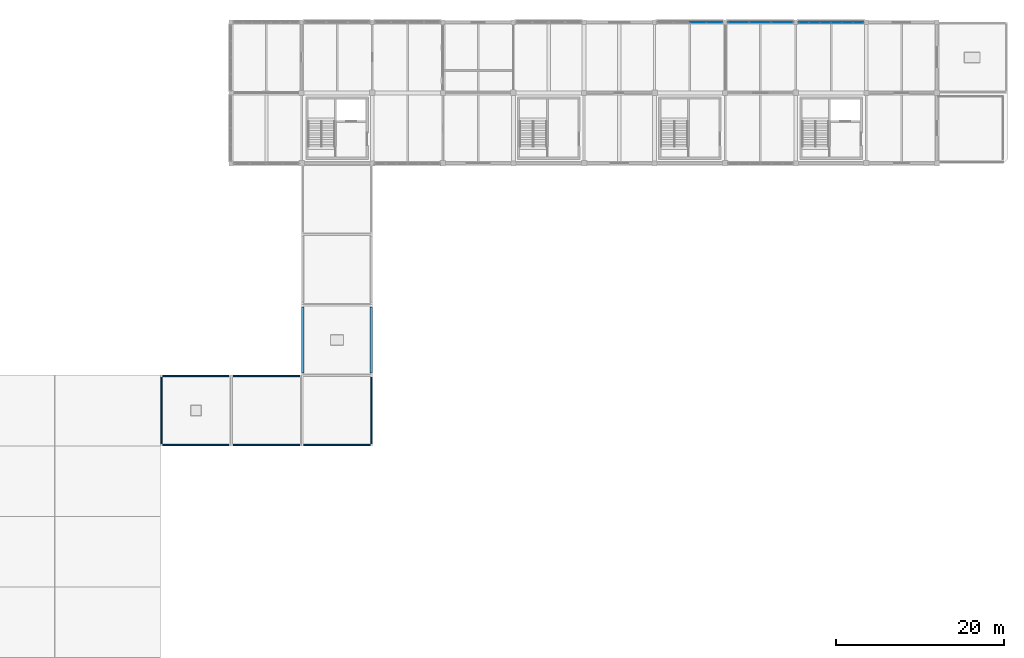
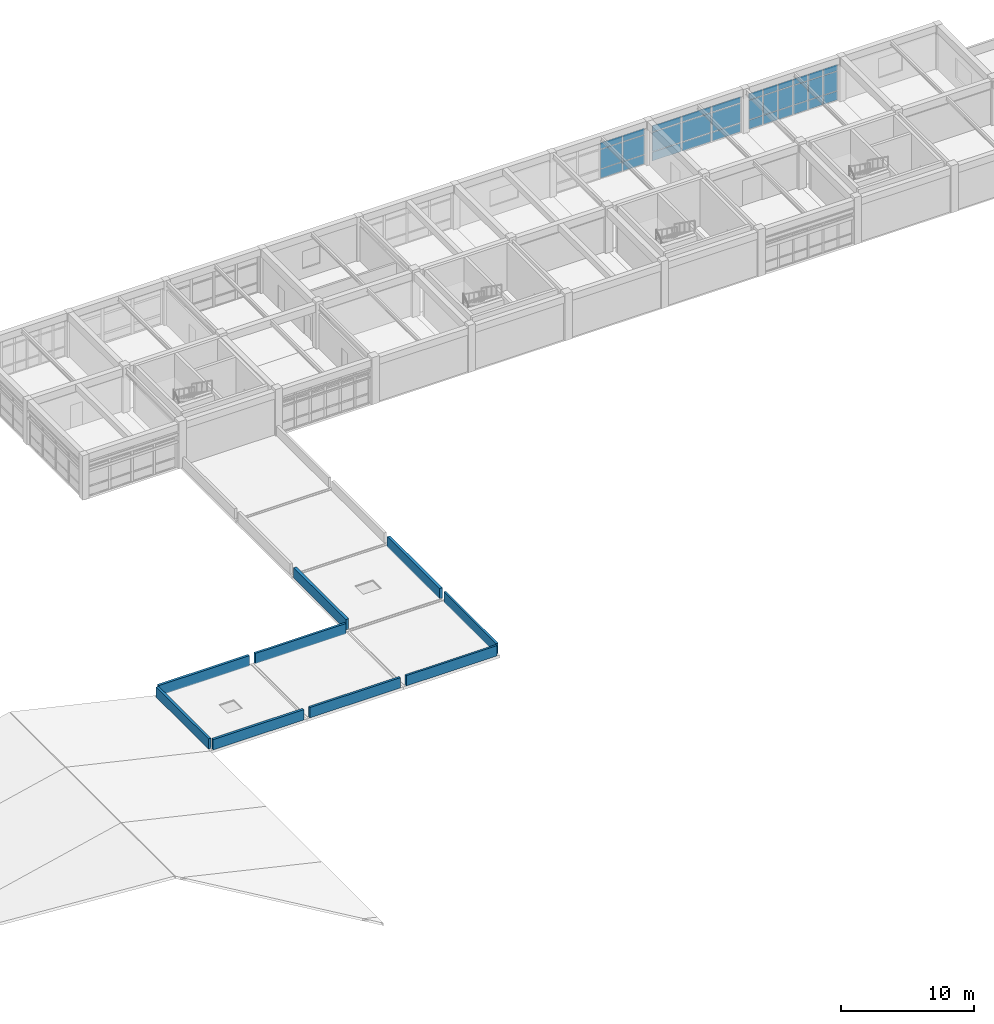
# One storey, part 14 of 18: 33 plates, 9 walls, 3 elements without a shape of their own.
"""IFC4 building model written with IfcOpenShell, lengths in metres."""

from ifc_helpers import new_model, si_unit, direction, frame, frame_2d, origin, origin_2d, place, context, subcontext, project, spatial, rectangle, extrude, material, layer, layer_set, type_object, element, aggregate, save


model = new_model("IFC4")

# Units and contexts
model_context = context("Model", 3, precision=1e-05, world=origin(), true_north=direction((0.0, 1.0)))
body_context = subcontext(model_context, "Body", "Model", "MODEL_VIEW")
ifc_project = project(units=[si_unit("LENGTHUNIT", "METRE"), si_unit("AREAUNIT", "SQUARE_METRE"), si_unit("VOLUMEUNIT", "CUBIC_METRE"), si_unit("PLANEANGLEUNIT", "RADIAN"), si_unit("MASSUNIT", "GRAM", prefix="KILO")], contexts=[model_context])

# Site, building, storey
site_placement = place(None, origin())
site = spatial("IfcSite", under=ifc_project, at=site_placement, CompositionType="ELEMENT")
building_placement = place(site_placement, origin())
building = spatial("IfcBuilding", under=site, at=building_placement, Name="Porcellanite Civic Hall", CompositionType="ELEMENT")
storey_placement = place(building_placement, frame((0.0, 0.0, 23.39990234375)))
storey = spatial("IfcBuildingStorey", under=building, at=storey_placement, Name="L05", CompositionType="ELEMENT", Elevation=23.39990234375)

# Curtain wall, plates
ifc_material_1 = material(Name="Anodised aluminium and solar laminated glass", Category="aluminium")
ifc_layer_1 = layer(ifc_material_1, 0.179931640625)
ifc_layer_set_1 = layer_set([ifc_layer_1], Name="Anodised aluminium and solar laminated glass")
curtain_wall_type_1 = type_object("IfcCurtainWallType", Name="CW-SYS06", PredefinedType="NOTDEFINED", material=ifc_layer_set_1)
curtain_wall_1_placement = place(storey_placement, origin())
curtain_wall_1 = element("IfcCurtainWall", 1, at=curtain_wall_1_placement, inside=storey, type_object=curtain_wall_type_1, Name="Curtain wall CW-266", PredefinedType="NOTDEFINED")
ifc_material_2 = material(Name="Cyclone laminated solar-control low-E glass", Category="glass")
ifc_layer_2 = layer(ifc_material_2, 0.035888671875)
ifc_layer_set_2 = layer_set([ifc_layer_2], Name="Cyclone laminated solar-control low-E glass")
plate_type_1 = type_object("IfcPlateType", Name="CWP-07", PredefinedType="CURTAIN_PANEL", material=ifc_layer_set_2)
plate_1_placement = place(storey_placement, frame((97.5810546875, 117.60009765625, 0.05029296875), z_axis=(0.0, 0.0, 1.0), x_axis=(1.0, 0.0, 0.0)))
plate_1 = element("IfcPlate", 2, at=plate_1_placement, type_object=plate_type_1, Name="CW-266 panel 3.1", PredefinedType="CURTAIN_PANEL", context=body_context, shape_type="SweptSolid", body=[
    extrude(rectangle(XDim=1.89697265625, YDim=0.035888671875, at=origin_2d()), origin(), (0.0, 0.0, 1.0), 0.824951171875),
])
plate_2_placement = place(storey_placement, frame((97.5810546875, 117.60009765625, 0.925048828125), z_axis=(0.0, 0.0, 1.0), x_axis=(1.0, 0.0, 0.0)))
plate_2 = element("IfcPlate", 3, at=plate_2_placement, type_object=plate_type_1, Name="CW-266 panel 3.2", PredefinedType="CURTAIN_PANEL", context=body_context, shape_type="SweptSolid", body=[
    extrude(rectangle(XDim=1.89697265625, YDim=0.035888671875, at=origin_2d()), origin(), (0.0, 0.0, 1.0), 1.77001953125),
])
plate_3_placement = place(storey_placement, frame((97.5810546875, 117.60009765625, 2.7451171875), z_axis=(0.0, 0.0, 1.0), x_axis=(1.0, 0.0, 0.0)))
plate_3 = element("IfcPlate", 4, at=plate_3_placement, type_object=plate_type_1, Name="CW-266 panel 3.3", PredefinedType="CURTAIN_PANEL", context=body_context, shape_type="SweptSolid", body=[
    extrude(rectangle(XDim=1.89697265625, YDim=0.035888671875, at=origin_2d()), origin(), (0.0, 0.0, 1.0), 0.574951171875),
])
plate_4_placement = place(storey_placement, frame((99.52685546875, 117.60009765625, 0.05029296875), z_axis=(0.0, 0.0, 1.0), x_axis=(1.0, 0.0, 0.0)))
plate_4 = element("IfcPlate", 5, at=plate_4_placement, type_object=plate_type_1, Name="CW-266 panel 4.1", PredefinedType="CURTAIN_PANEL", context=body_context, shape_type="SweptSolid", body=[
    extrude(rectangle(XDim=1.864501953125, YDim=0.035888671875, at=origin_2d()), origin(), (0.0, 0.0, 1.0), 0.824951171875),
])
plate_5_placement = place(storey_placement, frame((99.52685546875, 117.60009765625, 0.925048828125), z_axis=(0.0, 0.0, 1.0), x_axis=(1.0, 0.0, 0.0)))
plate_5 = element("IfcPlate", 6, at=plate_5_placement, type_object=plate_type_1, Name="CW-266 panel 4.2", PredefinedType="CURTAIN_PANEL", context=body_context, shape_type="SweptSolid", body=[
    extrude(rectangle(XDim=1.864501953125, YDim=0.035888671875, at=origin_2d()), origin(), (0.0, 0.0, 1.0), 1.77001953125),
])
plate_6_placement = place(storey_placement, frame((99.52685546875, 117.60009765625, 2.7451171875), z_axis=(0.0, 0.0, 1.0), x_axis=(1.0, 0.0, 0.0)))
plate_6 = element("IfcPlate", 7, at=plate_6_placement, type_object=plate_type_1, Name="CW-266 panel 4.3", PredefinedType="CURTAIN_PANEL", context=body_context, shape_type="SweptSolid", body=[
    extrude(rectangle(XDim=1.864501953125, YDim=0.035888671875, at=origin_2d()), origin(), (0.0, 0.0, 1.0), 0.574951171875),
])
aggregate(curtain_wall_1, [plate_1, plate_2, plate_3, plate_4, plate_5, plate_6])

ifc_material_3 = material(Name="Anodised aluminium and solar laminated glass", Category="aluminium")
ifc_layer_3 = layer(ifc_material_3, 0.179931640625)
ifc_layer_set_3 = layer_set([ifc_layer_3], Name="Anodised aluminium and solar laminated glass")
curtain_wall_type_2 = type_object("IfcCurtainWallType", Name="CW-SYS08", PredefinedType="NOTDEFINED", material=ifc_layer_set_3)
curtain_wall_2_placement = place(storey_placement, origin())
curtain_wall_2 = element("IfcCurtainWall", 8, at=curtain_wall_2_placement, inside=storey, type_object=curtain_wall_type_2, Name="Curtain wall CW-268", PredefinedType="NOTDEFINED")
ifc_material_4 = material(Name="Insulated ochre aluminium spandrel panel", Category="aluminium")
ifc_layer_4 = layer(ifc_material_4, 0.0419921875)
ifc_layer_set_4 = layer_set([ifc_layer_4], Name="Insulated ochre aluminium spandrel panel")
plate_type_2 = type_object("IfcPlateType", Name="CWP-09", PredefinedType="CURTAIN_PANEL", material=ifc_layer_set_4)
plate_7_placement = place(storey_placement, frame((102.404052734375, 117.60009765625, 0.070068359375), z_axis=(0.0, 0.0, 1.0), x_axis=(1.0, 0.0, 0.0)))
plate_7 = element("IfcPlate", 9, at=plate_7_placement, type_object=plate_type_2, Name="CW-268 panel 1.1", PredefinedType="CURTAIN_PANEL", context=body_context, shape_type="SweptSolid", body=[
    extrude(rectangle(XDim=2.49609375, YDim=0.0419921875, at=origin_2d()), origin(), (0.0, 0.0, 1.0), 0.794921875),
])
plate_8_placement = place(storey_placement, frame((102.404052734375, 117.60009765625, 0.93505859375), z_axis=(0.0, 0.0, 1.0), x_axis=(1.0, 0.0, 0.0)))
plate_8 = element("IfcPlate", 10, at=plate_8_placement, type_object=plate_type_2, Name="CW-268 panel 1.2", PredefinedType="CURTAIN_PANEL", context=body_context, shape_type="SweptSolid", body=[
    extrude(rectangle(XDim=2.49609375, YDim=0.0419921875, at=origin_2d()), origin(), (0.0, 0.0, 1.0), 1.75),
])
plate_9_placement = place(storey_placement, frame((102.404052734375, 117.60009765625, 2.755126953125), z_axis=(0.0, 0.0, 1.0), x_axis=(1.0, 0.0, 0.0)))
plate_9 = element("IfcPlate", 11, at=plate_9_placement, type_object=plate_type_2, Name="CW-268 panel 1.3", PredefinedType="CURTAIN_PANEL", context=body_context, shape_type="SweptSolid", body=[
    extrude(rectangle(XDim=2.49609375, YDim=0.0419921875, at=origin_2d()), origin(), (0.0, 0.0, 1.0), 0.544921875),
])
plate_10_placement = place(storey_placement, frame((105.0, 117.60009765625, 0.070068359375), z_axis=(0.0, 0.0, 1.0), x_axis=(1.0, 0.0, 0.0)))
plate_10 = element("IfcPlate", 12, at=plate_10_placement, type_object=plate_type_2, Name="CW-268 panel 2.1", PredefinedType="CURTAIN_PANEL", context=body_context, shape_type="SweptSolid", body=[
    extrude(rectangle(XDim=2.535888671875, YDim=0.0419921875, at=origin_2d()), origin(), (0.0, 0.0, 1.0), 0.794921875),
])
plate_11_placement = place(storey_placement, frame((105.0, 117.60009765625, 0.93505859375), z_axis=(0.0, 0.0, 1.0), x_axis=(1.0, 0.0, 0.0)))
plate_11 = element("IfcPlate", 13, at=plate_11_placement, type_object=plate_type_2, Name="CW-268 panel 2.2", PredefinedType="CURTAIN_PANEL", context=body_context, shape_type="SweptSolid", body=[
    extrude(rectangle(XDim=2.535888671875, YDim=0.0419921875, at=origin_2d()), origin(), (0.0, 0.0, 1.0), 1.75),
])
plate_12_placement = place(storey_placement, frame((105.0, 117.60009765625, 2.755126953125), z_axis=(0.0, 0.0, 1.0), x_axis=(1.0, 0.0, 0.0)))
plate_12 = element("IfcPlate", 14, at=plate_12_placement, type_object=plate_type_2, Name="CW-268 panel 2.3", PredefinedType="CURTAIN_PANEL", context=body_context, shape_type="SweptSolid", body=[
    extrude(rectangle(XDim=2.535888671875, YDim=0.0419921875, at=origin_2d()), origin(), (0.0, 0.0, 1.0), 0.544921875),
])
plate_13_placement = place(storey_placement, frame((107.595947265625, 117.60009765625, 0.070068359375), z_axis=(0.0, 0.0, 1.0), x_axis=(1.0, 0.0, 0.0)))
plate_13 = element("IfcPlate", 15, at=plate_13_placement, type_object=plate_type_2, Name="CW-268 panel 3.1", PredefinedType="CURTAIN_PANEL", context=body_context, shape_type="SweptSolid", body=[
    extrude(rectangle(XDim=2.49609375, YDim=0.0419921875, at=origin_2d()), origin(), (0.0, 0.0, 1.0), 0.794921875),
])
plate_14_placement = place(storey_placement, frame((107.595947265625, 117.60009765625, 0.93505859375), z_axis=(0.0, 0.0, 1.0), x_axis=(1.0, 0.0, 0.0)))
plate_14 = element("IfcPlate", 16, at=plate_14_placement, type_object=plate_type_2, Name="CW-268 panel 3.2", PredefinedType="CURTAIN_PANEL", context=body_context, shape_type="SweptSolid", body=[
    extrude(rectangle(XDim=2.49609375, YDim=0.0419921875, at=origin_2d()), origin(), (0.0, 0.0, 1.0), 1.75),
])
plate_15_placement = place(storey_placement, frame((107.595947265625, 117.60009765625, 2.755126953125), z_axis=(0.0, 0.0, 1.0), x_axis=(1.0, 0.0, 0.0)))
plate_15 = element("IfcPlate", 17, at=plate_15_placement, type_object=plate_type_2, Name="CW-268 panel 3.3", PredefinedType="CURTAIN_PANEL", context=body_context, shape_type="SweptSolid", body=[
    extrude(rectangle(XDim=2.49609375, YDim=0.0419921875, at=origin_2d()), origin(), (0.0, 0.0, 1.0), 0.544921875),
])
aggregate(curtain_wall_2, [plate_7, plate_8, plate_9, plate_10, plate_11, plate_12, plate_13, plate_14, plate_15])

ifc_material_5 = material(Name="Anodised aluminium and solar laminated glass", Category="aluminium")
ifc_layer_5 = layer(ifc_material_5, 0.179931640625)
ifc_layer_set_5 = layer_set([ifc_layer_5], Name="Anodised aluminium and solar laminated glass")
curtain_wall_type_3 = type_object("IfcCurtainWallType", Name="CW-SYS01", PredefinedType="NOTDEFINED", material=ifc_layer_set_5)
curtain_wall_3_placement = place(storey_placement, origin())
curtain_wall_3 = element("IfcCurtainWall", 18, at=curtain_wall_3_placement, inside=storey, type_object=curtain_wall_type_3, Name="Curtain wall CW-269", PredefinedType="NOTDEFINED")
ifc_material_6 = material(Name="Insulated ochre aluminium spandrel panel", Category="aluminium")
ifc_layer_6 = layer(ifc_material_6, 0.0458984375)
ifc_layer_set_6 = layer_set([ifc_layer_6], Name="Insulated ochre aluminium spandrel panel")
plate_type_3 = type_object("IfcPlateType", Name="CWP-10", PredefinedType="CURTAIN_PANEL", material=ifc_layer_set_6)
plate_16_placement = place(storey_placement, frame((110.1474609375, 117.60009765625, 0.06005859375), z_axis=(0.0, 0.0, 1.0), x_axis=(1.0, 0.0, 0.0)))
plate_16 = element("IfcPlate", 19, at=plate_16_placement, type_object=plate_type_3, Name="CW-269 panel 1.1", PredefinedType="CURTAIN_PANEL", context=body_context, shape_type="SweptSolid", body=[
    extrude(rectangle(XDim=1.202880859375, YDim=0.0458984375, at=origin_2d()), origin(), (0.0, 0.0, 1.0), 0.81005859375),
])
plate_17_placement = place(storey_placement, frame((110.1474609375, 117.60009765625, 0.93017578125), z_axis=(0.0, 0.0, 1.0), x_axis=(1.0, 0.0, 0.0)))
plate_17 = element("IfcPlate", 20, at=plate_17_placement, type_object=plate_type_3, Name="CW-269 panel 1.2", PredefinedType="CURTAIN_PANEL", context=body_context, shape_type="SweptSolid", body=[
    extrude(rectangle(XDim=1.202880859375, YDim=0.0458984375, at=origin_2d()), origin(), (0.0, 0.0, 1.0), 1.760009765625),
])
plate_18_placement = place(storey_placement, frame((110.1474609375, 117.60009765625, 2.75), z_axis=(0.0, 0.0, 1.0), x_axis=(1.0, 0.0, 0.0)))
plate_18 = element("IfcPlate", 21, at=plate_18_placement, type_object=plate_type_3, Name="CW-269 panel 1.3", PredefinedType="CURTAIN_PANEL", context=body_context, shape_type="SweptSolid", body=[
    extrude(rectangle(XDim=1.202880859375, YDim=0.0458984375, at=origin_2d()), origin(), (0.0, 0.0, 1.0), 0.56005859375),
])
plate_19_placement = place(storey_placement, frame((111.43798828125, 117.60009765625, 0.06005859375), z_axis=(0.0, 0.0, 1.0), x_axis=(1.0, 0.0, 0.0)))
plate_19 = element("IfcPlate", 22, at=plate_19_placement, type_object=plate_type_3, Name="CW-269 panel 2.1", PredefinedType="CURTAIN_PANEL", context=body_context, shape_type="SweptSolid", body=[
    extrude(rectangle(XDim=1.238037109375, YDim=0.0458984375, at=origin_2d()), origin(), (0.0, 0.0, 1.0), 0.81005859375),
])
plate_20_placement = place(storey_placement, frame((111.43798828125, 117.60009765625, 0.93017578125), z_axis=(0.0, 0.0, 1.0), x_axis=(1.0, 0.0, 0.0)))
plate_20 = element("IfcPlate", 23, at=plate_20_placement, type_object=plate_type_3, Name="CW-269 panel 2.2", PredefinedType="CURTAIN_PANEL", context=body_context, shape_type="SweptSolid", body=[
    extrude(rectangle(XDim=1.238037109375, YDim=0.0458984375, at=origin_2d()), origin(), (0.0, 0.0, 1.0), 1.760009765625),
])
plate_21_placement = place(storey_placement, frame((111.43798828125, 117.60009765625, 2.75), z_axis=(0.0, 0.0, 1.0), x_axis=(1.0, 0.0, 0.0)))
plate_21 = element("IfcPlate", 24, at=plate_21_placement, type_object=plate_type_3, Name="CW-269 panel 2.3", PredefinedType="CURTAIN_PANEL", context=body_context, shape_type="SweptSolid", body=[
    extrude(rectangle(XDim=1.238037109375, YDim=0.0458984375, at=origin_2d()), origin(), (0.0, 0.0, 1.0), 0.56005859375),
])
plate_22_placement = place(storey_placement, frame((112.74609375, 117.60009765625, 0.06005859375), z_axis=(0.0, 0.0, 1.0), x_axis=(1.0, 0.0, 0.0)))
plate_22 = element("IfcPlate", 25, at=plate_22_placement, type_object=plate_type_3, Name="CW-269 panel 3.1", PredefinedType="CURTAIN_PANEL", context=body_context, shape_type="SweptSolid", body=[
    extrude(rectangle(XDim=1.238037109375, YDim=0.0458984375, at=origin_2d()), origin(), (0.0, 0.0, 1.0), 0.81005859375),
])
plate_23_placement = place(storey_placement, frame((112.74609375, 117.60009765625, 0.93017578125), z_axis=(0.0, 0.0, 1.0), x_axis=(1.0, 0.0, 0.0)))
plate_23 = element("IfcPlate", 26, at=plate_23_placement, type_object=plate_type_3, Name="CW-269 panel 3.2", PredefinedType="CURTAIN_PANEL", context=body_context, shape_type="SweptSolid", body=[
    extrude(rectangle(XDim=1.238037109375, YDim=0.0458984375, at=origin_2d()), origin(), (0.0, 0.0, 1.0), 1.760009765625),
])
plate_24_placement = place(storey_placement, frame((112.74609375, 117.60009765625, 2.75), z_axis=(0.0, 0.0, 1.0), x_axis=(1.0, 0.0, 0.0)))
plate_24 = element("IfcPlate", 27, at=plate_24_placement, type_object=plate_type_3, Name="CW-269 panel 3.3", PredefinedType="CURTAIN_PANEL", context=body_context, shape_type="SweptSolid", body=[
    extrude(rectangle(XDim=1.238037109375, YDim=0.0458984375, at=origin_2d()), origin(), (0.0, 0.0, 1.0), 0.56005859375),
])
plate_25_placement = place(storey_placement, frame((114.053955078125, 117.60009765625, 0.06005859375), z_axis=(0.0, 0.0, 1.0), x_axis=(1.0, 0.0, 0.0)))
plate_25 = element("IfcPlate", 28, at=plate_25_placement, type_object=plate_type_3, Name="CW-269 panel 4.1", PredefinedType="CURTAIN_PANEL", context=body_context, shape_type="SweptSolid", body=[
    extrude(rectangle(XDim=1.238037109375, YDim=0.0458984375, at=origin_2d()), origin(), (0.0, 0.0, 1.0), 0.81005859375),
])
plate_26_placement = place(storey_placement, frame((114.053955078125, 117.60009765625, 0.93017578125), z_axis=(0.0, 0.0, 1.0), x_axis=(1.0, 0.0, 0.0)))
plate_26 = element("IfcPlate", 29, at=plate_26_placement, type_object=plate_type_3, Name="CW-269 panel 4.2", PredefinedType="CURTAIN_PANEL", context=body_context, shape_type="SweptSolid", body=[
    extrude(rectangle(XDim=1.238037109375, YDim=0.0458984375, at=origin_2d()), origin(), (0.0, 0.0, 1.0), 1.760009765625),
])
plate_27_placement = place(storey_placement, frame((114.053955078125, 117.60009765625, 2.75), z_axis=(0.0, 0.0, 1.0), x_axis=(1.0, 0.0, 0.0)))
plate_27 = element("IfcPlate", 30, at=plate_27_placement, type_object=plate_type_3, Name="CW-269 panel 4.3", PredefinedType="CURTAIN_PANEL", context=body_context, shape_type="SweptSolid", body=[
    extrude(rectangle(XDim=1.238037109375, YDim=0.0458984375, at=origin_2d()), origin(), (0.0, 0.0, 1.0), 0.56005859375),
])
plate_28_placement = place(storey_placement, frame((115.362060546875, 117.60009765625, 0.06005859375), z_axis=(0.0, 0.0, 1.0), x_axis=(1.0, 0.0, 0.0)))
plate_28 = element("IfcPlate", 31, at=plate_28_placement, type_object=plate_type_3, Name="CW-269 panel 5.1", PredefinedType="CURTAIN_PANEL", context=body_context, shape_type="SweptSolid", body=[
    extrude(rectangle(XDim=1.238037109375, YDim=0.0458984375, at=origin_2d()), origin(), (0.0, 0.0, 1.0), 0.81005859375),
])
plate_29_placement = place(storey_placement, frame((115.362060546875, 117.60009765625, 0.93017578125), z_axis=(0.0, 0.0, 1.0), x_axis=(1.0, 0.0, 0.0)))
plate_29 = element("IfcPlate", 32, at=plate_29_placement, type_object=plate_type_3, Name="CW-269 panel 5.2", PredefinedType="CURTAIN_PANEL", context=body_context, shape_type="SweptSolid", body=[
    extrude(rectangle(XDim=1.238037109375, YDim=0.0458984375, at=origin_2d()), origin(), (0.0, 0.0, 1.0), 1.760009765625),
])
plate_30_placement = place(storey_placement, frame((115.362060546875, 117.60009765625, 2.75), z_axis=(0.0, 0.0, 1.0), x_axis=(1.0, 0.0, 0.0)))
plate_30 = element("IfcPlate", 33, at=plate_30_placement, type_object=plate_type_3, Name="CW-269 panel 5.3", PredefinedType="CURTAIN_PANEL", context=body_context, shape_type="SweptSolid", body=[
    extrude(rectangle(XDim=1.238037109375, YDim=0.0458984375, at=origin_2d()), origin(), (0.0, 0.0, 1.0), 0.56005859375),
])
plate_31_placement = place(storey_placement, frame((116.652587890625, 117.60009765625, 0.06005859375), z_axis=(0.0, 0.0, 1.0), x_axis=(1.0, 0.0, 0.0)))
plate_31 = element("IfcPlate", 34, at=plate_31_placement, type_object=plate_type_3, Name="CW-269 panel 6.1", PredefinedType="CURTAIN_PANEL", context=body_context, shape_type="SweptSolid", body=[
    extrude(rectangle(XDim=1.202880859375, YDim=0.0458984375, at=origin_2d()), origin(), (0.0, 0.0, 1.0), 0.81005859375),
])
plate_32_placement = place(storey_placement, frame((116.652587890625, 117.60009765625, 0.93017578125), z_axis=(0.0, 0.0, 1.0), x_axis=(1.0, 0.0, 0.0)))
plate_32 = element("IfcPlate", 35, at=plate_32_placement, type_object=plate_type_3, Name="CW-269 panel 6.2", PredefinedType="CURTAIN_PANEL", context=body_context, shape_type="SweptSolid", body=[
    extrude(rectangle(XDim=1.202880859375, YDim=0.0458984375, at=origin_2d()), origin(), (0.0, 0.0, 1.0), 1.760009765625),
])
plate_33_placement = place(storey_placement, frame((116.652587890625, 117.60009765625, 2.75), z_axis=(0.0, 0.0, 1.0), x_axis=(1.0, 0.0, 0.0)))
plate_33 = element("IfcPlate", 36, at=plate_33_placement, type_object=plate_type_3, Name="CW-269 panel 6.3", PredefinedType="CURTAIN_PANEL", context=body_context, shape_type="SweptSolid", body=[
    extrude(rectangle(XDim=1.202880859375, YDim=0.0458984375, at=origin_2d()), origin(), (0.0, 0.0, 1.0), 0.56005859375),
])
aggregate(curtain_wall_3, [plate_16, plate_17, plate_18, plate_19, plate_20, plate_21, plate_22, plate_23, plate_24, plate_25, plate_26, plate_27, plate_28, plate_29, plate_30, plate_31, plate_32, plate_33])

# Walls
ifc_material_7 = material(Name="Precast concrete N40 (40 MPa)", Category="concrete")
ifc_layer_7 = layer(ifc_material_7, 0.25)
ifc_layer_set_7 = layer_set([ifc_layer_7], Name="Precast concrete N40 (40 MPa)")
wall_type_1 = type_object("IfcWallType", Name="WP-PAR1", PredefinedType="PARAPET", material=ifc_layer_set_7)
for number, where, z_axis, x_axis, name in (
    (37, (50.52490234375, 75.860107421875, 0.0), (0.0, 0.0, 1.0), (0.0, 1.0, 0.0), "Roof parapet L05 W 7-10"),
    (38, (58.675048828125, 83.739990234375, 0.0), (0.0, 0.0, 1.0), (0.0, -1.0, 0.0), "Roof parapet L05 E 7-10"),
):
    element("IfcWall", number, at=place(storey_placement, frame(where, z_axis=z_axis, x_axis=x_axis)), inside=storey, type_object=wall_type_1, Name=name, PredefinedType="PARAPET", context=body_context, shape_type="SweptSolid", body=[
        extrude(rectangle(XDim=7.8798828125, YDim=0.25, at=frame_2d((3.93994140625, 0.0))), origin(), (0.0, 0.0, 1.0), 0.9501953125),
    ])
ifc_material_8 = material(Name="Precast concrete N40 (40 MPa)", Category="concrete")
ifc_layer_8 = layer(ifc_material_8, 0.2099609375)
ifc_layer_set_8 = layer_set([ifc_layer_8], Name="Precast concrete N40 (40 MPa)")
wall_type_2 = type_object("IfcWallType", Name="WP-PAR3", PredefinedType="PARAPET", material=ifc_layer_set_8)
wall_1_placement = place(storey_placement, frame((41.739990234375, 67.304931640625, 0.0), z_axis=(0.0, 0.0, 1.0), x_axis=(-1.0, 0.0, 0.0)))
element("IfcWall", 39, at=wall_1_placement, inside=storey, type_object=wall_type_2, Name="Roof parapet L05 S 5-9", PredefinedType="PARAPET", context=body_context, shape_type="SweptSolid", body=[
    extrude(rectangle(XDim=7.8798828125, YDim=0.2099609375, at=frame_2d((3.93994140625, 0.0))), origin(), (0.0, 0.0, 1.0), 0.9501953125),
])
wall_2_placement = place(storey_placement, frame((33.705078125, 67.4599609375, 0.0), z_axis=(0.0, 0.0, 1.0), x_axis=(0.0, 1.0, 0.0)))
element("IfcWall", 40, at=wall_2_placement, inside=storey, type_object=wall_type_2, Name="Roof parapet L05 W 5-9", PredefinedType="PARAPET", context=body_context, shape_type="SweptSolid", body=[
    extrude(rectangle(XDim=7.880126953125, YDim=0.2099609375, at=frame_2d((3.93994140625, 0.0))), origin(), (0.0, 0.0, 1.0), 0.9501953125),
])
wall_3_placement = place(storey_placement, frame((33.860107421875, 75.4951171875, 0.0), z_axis=(0.0, 0.0, 1.0), x_axis=(1.0, 0.0, 0.0)))
element("IfcWall", 41, at=wall_3_placement, inside=storey, type_object=wall_type_2, Name="Roof parapet L05 N 5-9", PredefinedType="PARAPET", context=body_context, shape_type="SweptSolid", body=[
    extrude(rectangle(XDim=7.8798828125, YDim=0.2099609375, at=frame_2d((3.93994140625, 0.0))), origin(), (0.0, 0.0, 1.0), 0.9501953125),
])
ifc_material_9 = material(Name="Precast concrete N40 (40 MPa)", Category="concrete")
ifc_layer_9 = layer(ifc_material_9, 0.18994140625)
ifc_layer_set_9 = layer_set([ifc_layer_9], Name="Precast concrete N40 (40 MPa)")
wall_type_3 = type_object("IfcWallType", Name="WP-PAR4", PredefinedType="PARAPET", material=ifc_layer_set_9)
for number, where, z_axis, x_axis, name in (
    (42, (50.139892578125, 67.294921875, 0.0), (0.0, 0.0, 1.0), (-1.0, 0.0, 0.0), "Roof parapet L05 S 6-9"),
    (43, (42.260009765625, 75.5048828125, 0.0), (0.0, 0.0, 1.0), (1.0, 0.0, 0.0), "Roof parapet L05 N 6-9"),
):
    element("IfcWall", number, at=place(storey_placement, frame(where, z_axis=z_axis, x_axis=x_axis)), inside=storey, type_object=wall_type_3, Name=name, PredefinedType="PARAPET", context=body_context, shape_type="SweptSolid", body=[
        extrude(rectangle(XDim=7.8798828125, YDim=0.18994140625, at=frame_2d((3.93994140625, 0.0))), origin(), (0.0, 0.0, 1.0), 0.9501953125),
    ])
ifc_material_10 = material(Name="Precast concrete N40 (40 MPa)", Category="concrete")
ifc_layer_10 = layer(ifc_material_10, 0.169921875)
ifc_layer_set_10 = layer_set([ifc_layer_10], Name="Precast concrete N40 (40 MPa)")
wall_type_4 = type_object("IfcWallType", Name="WP-PAR5", PredefinedType="PARAPET", material=ifc_layer_set_10)
for number, where, z_axis, x_axis, name in (
    (44, (58.5400390625, 67.284912109375, 0.0), (0.0, 0.0, 1.0), (-1.0, 0.0, 0.0), "Roof parapet L05 S 7-9"),
    (45, (58.715087890625, 75.340087890625, 0.0), (0.0, 0.0, 1.0), (0.0, -1.0, 0.0), "Roof parapet L05 E 7-9"),
):
    element("IfcWall", number, at=place(storey_placement, frame(where, z_axis=z_axis, x_axis=x_axis)), inside=storey, type_object=wall_type_4, Name=name, PredefinedType="PARAPET", context=body_context, shape_type="SweptSolid", body=[
        extrude(rectangle(XDim=7.880126953125, YDim=0.169921875, at=frame_2d((3.93994140625, 0.0))), origin(), (0.0, 0.0, 1.0), 0.9501953125),
    ])

save(model, "model.ifc")
